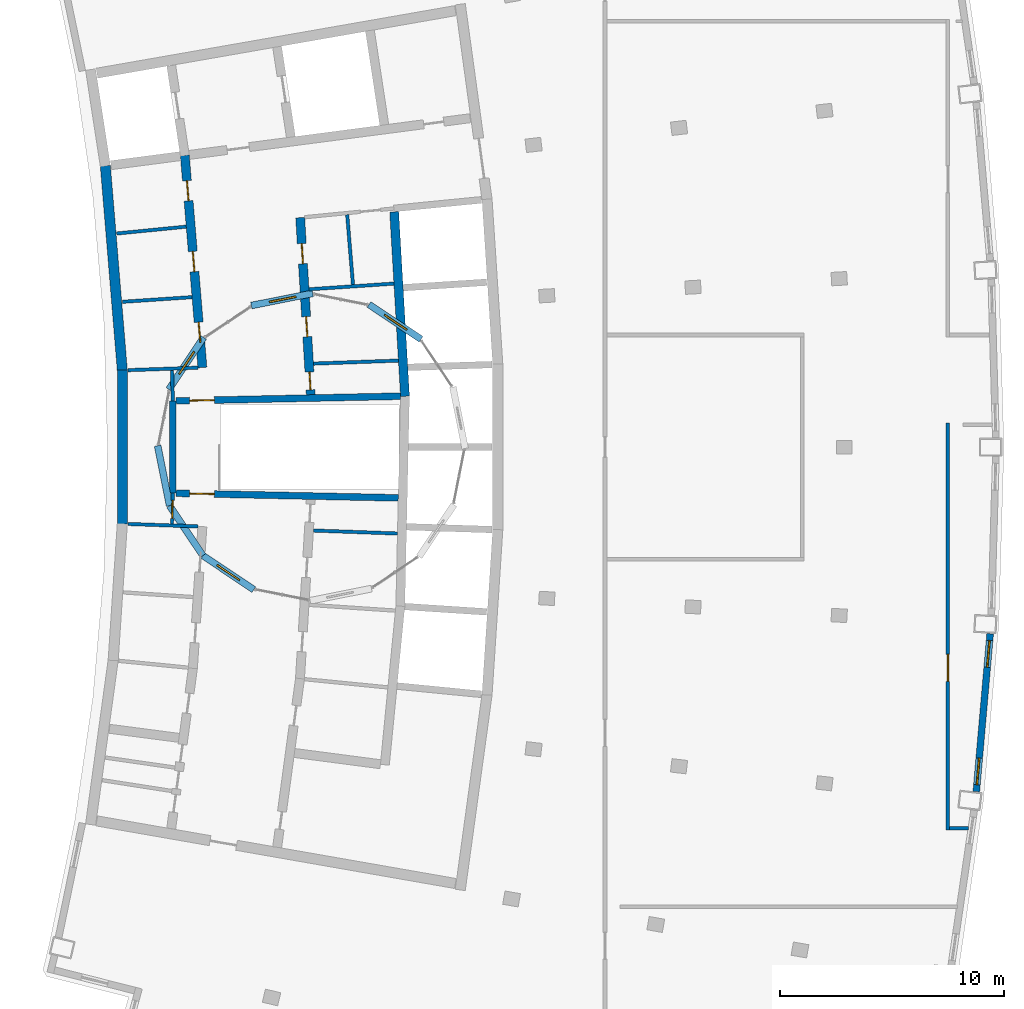
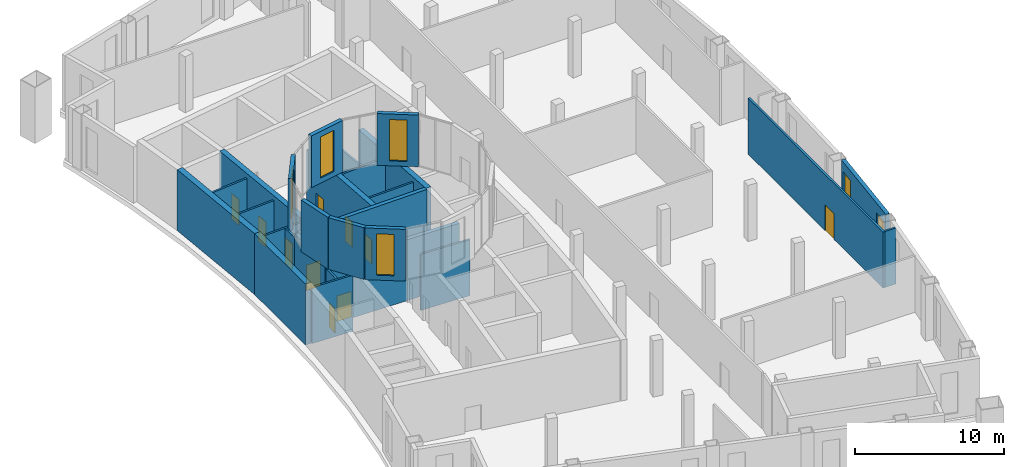
# One storey, part 5 of 9: 27 walls, 10 doors, 6 windows, 16 openings.
"""IFC4 building model written with IfcOpenShell, lengths in metres."""

from ifc_helpers import new_model, si_unit, direction, frame, frame_2d, origin, place, context, subcontext, project, spatial, rectangle, extrude, material, layer, layer_set, type_object, element, fill, save


model = new_model("IFC4")

# Units and contexts
model_context = context("Model", 3, precision=1e-05, world=origin(), true_north=direction((0.0, 1.0)))
body_context = subcontext(model_context, "Body", "Model", "MODEL_VIEW")
ifc_project = project(units=[si_unit("LENGTHUNIT", "METRE"), si_unit("AREAUNIT", "SQUARE_METRE"), si_unit("VOLUMEUNIT", "CUBIC_METRE"), si_unit("PLANEANGLEUNIT", "RADIAN"), si_unit("MASSUNIT", "GRAM", prefix="KILO")], contexts=[model_context])

# Site, building, storey
site_placement = place(None, origin())
site = spatial("IfcSite", under=ifc_project, at=site_placement, CompositionType="ELEMENT")
building_placement = place(site_placement, origin())
building = spatial("IfcBuilding", under=site, at=building_placement, Name="Alderwake Tower", CompositionType="ELEMENT")
storey_placement = place(building_placement, frame((0.0, 0.0, 310.0)))
storey = spatial("IfcBuildingStorey", under=building, at=storey_placement, Name="L75", CompositionType="ELEMENT", Elevation=310.0)

# Walls
ifc_material_1 = material(Name="Gypsum shaft wall system, rated")
ifc_layer_1 = layer(ifc_material_1, 0.14990234375)
ifc_layer_set_1 = layer_set([ifc_layer_1], Name="Core riser partition 150")
wall_type_1 = type_object("IfcWallType", Name="Core riser partition 150", PredefinedType="PARTITIONING", material=ifc_layer_set_1)
wall_1_placement = place(storey_placement, frame((25.1904296875, 57.276611328125, 0.0), z_axis=(0.0, 0.0, 1.0), x_axis=(0.99937350076, -0.035392173974, 0.0)))
element("IfcWall", 1, at=wall_1_placement, inside=storey, type_object=wall_type_1, Name="CW/L75/PR-37_+86", PredefinedType="PARTITIONING", context=body_context, shape_type="SweptSolid", body=[
    extrude(rectangle(XDim=3.752685546875, YDim=0.14990234375, at=frame_2d((1.87646484375, 0.0))), origin(), (0.0, 0.0, 1.0), 4.60009765625),
])
wall_2_placement = place(storey_placement, frame((25.191162109375, 64.723388671875, 0.0), z_axis=(0.0, 0.0, 1.0), x_axis=(0.999373627871, 0.035388584556, 0.0)))
element("IfcWall", 2, at=wall_2_placement, inside=storey, type_object=wall_type_1, Name="CW/L75/PR+37_+86", PredefinedType="PARTITIONING", context=body_context, shape_type="SweptSolid", body=[
    extrude(rectangle(XDim=3.79443359375, YDim=0.14990234375, at=frame_2d((1.897216796875, 0.0))), origin(), (0.0, 0.0, 1.0), 4.60009765625),
])

# Wall, opening, door
ifc_material_2 = material(Name="Gypsum shaft wall system, rated")
ifc_layer_2 = layer(ifc_material_2, 0.14990234375)
ifc_layer_set_2 = layer_set([ifc_layer_2], Name="Core room partition 150")
wall_type_2 = type_object("IfcWallType", Name="Core room partition 150", PredefinedType="PARTITIONING", material=ifc_layer_set_2)
wall_3_placement = place(storey_placement, frame((18.918701171875, 58.94384765625, 0.0), z_axis=(0.0, 0.0, 1.0), x_axis=(-0.027811602725, -0.999613182563, 0.0)))
wall_3 = element("IfcWall", 3, at=wall_3_placement, inside=storey, type_object=wall_type_2, Name="CW/L75/PA+24_-37", PredefinedType="PARTITIONING", context=body_context, shape_type="SweptSolid", body=[
    extrude(rectangle(XDim=1.369384765625, YDim=0.14990234375, at=frame_2d((0.6845703125, 0.0))), origin(), (0.0, 0.0, 1.0), 4.60009765625),
])
opening_1_placement = place(wall_3_placement, frame((0.322998046875, 0.0, 0.0)))
opening_1 = element("IfcOpeningElement", 4, at=opening_1_placement, cuts=wall_3, Name="Opening C004", PredefinedType="OPENING", context=body_context, shape_type="SweptSolid", body=[
    extrude(rectangle(XDim=0.800048828125, YDim=2.0, at=frame_2d((0.39990234375, 1.0))), frame((0.0, 0.0849609375, 0.0), z_axis=(0.0, -1.0, 0.0), x_axis=(1.0, 0.0, 0.0)), (0.0, 0.0, 1.0), 0.169921875),
])
ifc_material_3 = material(Name="Painted steel leaf, rated", Category="steel")
door_type_1 = type_object("IfcDoorType", Name="Riser access door 800", OperationType="SINGLE_SWING_LEFT", PredefinedType="DOOR", material=ifc_material_3)
door_1_placement = place(opening_1_placement, origin())
door_1 = element("IfcDoor", 5, at=door_1_placement, inside=storey, type_object=door_type_1, Name="Riser access door", OperationType="SINGLE_SWING_RIGHT", OverallHeight=2.0, OverallWidth=0.800048828125, PredefinedType="DOOR", context=body_context, shape_type="SweptSolid", body=[
    extrude(rectangle(XDim=0.800048828125, YDim=2.0, at=frame_2d((0.39990234375, 1.0))), frame((0.0, 0.02490234375, 0.0), z_axis=(0.0, -1.0, 0.0), x_axis=(1.0, 0.0, 0.0)), (0.0, 0.0, 1.0), 0.050048828125),
])
fill(opening_1, door_1)

# Walls
wall_4_placement = place(storey_placement, frame((18.918701171875, 63.05517578125, 0.0), z_axis=(0.0, 0.0, 1.0), x_axis=(-0.027791791559, 0.99961373356, 0.0)))
element("IfcWall", 6, at=wall_4_placement, inside=storey, type_object=wall_type_2, Name="CW/L75/PA+24_+22", PredefinedType="PARTITIONING", context=body_context, shape_type="SweptSolid", body=[
    extrude(rectangle(XDim=1.370361328125, YDim=0.14990234375, at=frame_2d((0.68505859375, 0.0))), origin(), (0.0, 0.0, 1.0), 4.60009765625),
])
wall_5_placement = place(storey_placement, frame((26.954833984375, 68.245361328125, 0.0), z_axis=(0.0, 0.0, 1.0), x_axis=(-0.082122484008, 0.996622244193, 0.0)))
element("IfcWall", 7, at=wall_5_placement, inside=storey, type_object=wall_type_2, Name="CW/L75/PA+107_+70", PredefinedType="PARTITIONING", context=body_context, shape_type="SweptSolid", body=[
    extrude(rectangle(XDim=3.13037109375, YDim=0.14990234375, at=frame_2d((1.565185546875, 0.0))), origin(), (0.0, 0.0, 1.0), 4.60009765625),
])
for number, where, z_axis, x_axis, name in (
    (8, (16.91943359375, 57.5693359375, 0.0), (0.0, 0.0, 1.0), (0.99937416876, -0.035373306522, 0.0), "CW/L75/PR-37_+0"),
    (9, (16.91943359375, 64.4306640625, 0.0), (0.0, 0.0, 1.0), (0.99937416876, 0.035373306522, 0.0), "CW/L75/PR+37_+0"),
):
    element("IfcWall", number, at=place(storey_placement, frame(where, z_axis=z_axis, x_axis=x_axis)), inside=storey, type_object=wall_type_2, Name=name, PredefinedType="PARTITIONING", context=body_context, shape_type="SweptSolid", body=[
        extrude(rectangle(XDim=3.11962890625, YDim=0.14990234375, at=frame_2d((1.559814453125, 0.0))), origin(), (0.0, 0.0, 1.0), 4.60009765625),
    ])
wall_6_placement = place(storey_placement, frame((16.666748046875, 67.48046875, 0.0), z_axis=(0.0, 0.0, 1.0), x_axis=(0.997759431971, 0.066903781007, 0.0)))
element("IfcWall", 10, at=wall_6_placement, inside=storey, type_object=wall_type_2, Name="CW/L75/PR+70_+0", PredefinedType="PARTITIONING", context=body_context, shape_type="SweptSolid", body=[
    extrude(rectangle(XDim=3.116455078125, YDim=0.14990234375, at=frame_2d((1.55810546875, 0.0))), origin(), (0.0, 0.0, 1.0), 4.60009765625),
])
wall_7_placement = place(storey_placement, frame((24.992431640625, 68.038818359375, 0.0), z_axis=(0.0, 0.0, 1.0), x_axis=(0.997762917035, 0.066851786736, 0.0)))
element("IfcWall", 11, at=wall_7_placement, inside=storey, type_object=wall_type_2, Name="CW/L75/PR+70_+86", PredefinedType="PARTITIONING", context=body_context, shape_type="SweptSolid", body=[
    extrude(rectangle(XDim=3.798095703125, YDim=0.14990234375, at=frame_2d((1.89892578125, 0.0))), origin(), (0.0, 0.0, 1.0), 4.60009765625),
])
wall_8_placement = place(storey_placement, frame((16.4140625, 70.52734375, 0.0), z_axis=(0.0, 0.0, 1.0), x_axis=(0.995155156245, 0.098316911052, 0.0)))
element("IfcWall", 12, at=wall_8_placement, inside=storey, type_object=wall_type_2, Name="CW/L75/PR+103_+0", PredefinedType="PARTITIONING", context=body_context, shape_type="SweptSolid", body=[
    extrude(rectangle(XDim=3.116455078125, YDim=0.14990234375, at=frame_2d((1.55810546875, 0.0))), origin(), (0.0, 0.0, 1.0), 4.60009765625),
])
ifc_material_4 = material(Name="Concrete C70/85", Category="concrete")
ifc_layer_3 = layer(ifc_material_4, 0.449951171875)
ifc_layer_set_3 = layer_set([ifc_layer_3], Name="Core wall outer 450 C70-85")
wall_type_3 = type_object("IfcWallType", Name="Core wall outer 450 C70-85", PredefinedType="SHEAR", material=ifc_layer_set_3)
wall_9_placement = place(storey_placement, frame((16.66455078125, 57.5703125, 0.0), z_axis=(0.0, 0.0, 1.0), x_axis=(0.0, 1.0, 0.0)))
element("IfcWall", 13, at=wall_9_placement, inside=storey, type_object=wall_type_3, Name="Core wall CW.029", PredefinedType="SHEAR", context=body_context, shape_type="SweptSolid", body=[
    extrude(rectangle(XDim=6.861083984375, YDim=0.449951171875, at=frame_2d((3.4306640625, 0.0))), origin(), (0.0, 0.0, 1.0), 5.0),
])
wall_10_placement = place(storey_placement, frame((16.665283203125, 64.411865234375, 0.0), z_axis=(0.0, 0.0, 1.0), x_axis=(-0.082622520262, 0.9965809145, 0.0)))
element("IfcWall", 14, at=wall_10_placement, inside=storey, type_object=wall_type_3, Name="Core wall CW.026", PredefinedType="SHEAR", context=body_context, shape_type="SweptSolid", body=[
    extrude(rectangle(XDim=9.171875, YDim=0.449951171875, at=frame_2d((4.5859375, 0.0))), origin(), (0.0, 0.0, 1.0), 5.0),
])

# Wall, openings, doors
ifc_material_5 = material(Name="Concrete C70/85", Category="concrete")
ifc_layer_4 = layer(ifc_material_5, 0.39990234375)
ifc_layer_set_4 = layer_set([ifc_layer_4], Name="Core wall spine 400 C70-85")
wall_type_4 = type_object("IfcWallType", Name="Core wall spine 400 C70-85", PredefinedType="SHEAR", material=ifc_layer_set_4)
wall_11_placement = place(storey_placement, frame((19.452392578125, 74.014892578125, 0.0), z_axis=(0.0, 0.0, 1.0), x_axis=(0.082628585297, -0.996580411654, 0.0)))
wall_11 = element("IfcWall", 15, at=wall_11_placement, inside=storey, type_object=wall_type_4, Name="Core wall CW.031", PredefinedType="SHEAR", context=body_context, shape_type="SweptSolid", body=[
    extrude(rectangle(XDim=9.499267578125, YDim=0.39990234375, at=frame_2d((4.74951171875, 0.0))), origin(), (0.0, 0.0, 1.0), 5.0),
])
opening_2_placement = place(wall_11_placement, frame((7.468017578125, 0.0, 0.0)))
opening_2 = element("IfcOpeningElement", 16, at=opening_2_placement, cuts=wall_11, Name="Opening C053", PredefinedType="OPENING", context=body_context, shape_type="SweptSolid", body=[
    extrude(rectangle(XDim=0.89990234375, YDim=2.10009765625, at=frame_2d((0.449951171875, 1.050048828125))), frame((0.0, 0.2099609375, 0.0), z_axis=(0.0, -1.0, 0.0), x_axis=(1.0, 0.0, 0.0)), (0.0, 0.0, 1.0), 0.419921875),
])
opening_3_placement = place(wall_11_placement, frame((4.30322265625, 0.0, 0.0)))
opening_3 = element("IfcOpeningElement", 17, at=opening_3_placement, cuts=wall_11, Name="Opening C055", PredefinedType="OPENING", context=body_context, shape_type="SweptSolid", body=[
    extrude(rectangle(XDim=0.89990234375, YDim=2.10009765625, at=frame_2d((0.449951171875, 1.050048828125))), frame((0.0, 0.2099609375, 0.0), z_axis=(0.0, -1.0, 0.0), x_axis=(1.0, 0.0, 0.0)), (0.0, 0.0, 1.0), 0.419921875),
])
opening_4_placement = place(wall_11_placement, frame((1.138671875, 0.0, 0.0)))
opening_4 = element("IfcOpeningElement", 18, at=opening_4_placement, cuts=wall_11, Name="Opening C056", PredefinedType="OPENING", context=body_context, shape_type="SweptSolid", body=[
    extrude(rectangle(XDim=0.89990234375, YDim=2.10009765625, at=frame_2d((0.449951171875, 1.050048828125))), frame((0.0, 0.2099609375, 0.0), z_axis=(0.0, -1.0, 0.0), x_axis=(1.0, 0.0, 0.0)), (0.0, 0.0, 1.0), 0.419921875),
])
ifc_material_6 = material(Name="Painted steel leaf", Category="steel")
door_type_2 = type_object("IfcDoorType", Name="Core room door 900", OperationType="SINGLE_SWING_LEFT", PredefinedType="DOOR", material=ifc_material_6)
door_2_placement = place(opening_2_placement, origin())
door_2 = element("IfcDoor", 19, at=door_2_placement, inside=storey, type_object=door_type_2, Name="Room door", OperationType="SINGLE_SWING_RIGHT", OverallHeight=2.10009765625, OverallWidth=0.89990234375, PredefinedType="DOOR", context=body_context, shape_type="SweptSolid", body=[
    extrude(rectangle(XDim=0.89990234375, YDim=2.10009765625, at=frame_2d((0.449951171875, 1.050048828125))), frame((0.0, 0.02490234375, 0.0), z_axis=(0.0, -1.0, 0.0), x_axis=(1.0, 0.0, 0.0)), (0.0, 0.0, 1.0), 0.050048828125),
])
fill(opening_2, door_2)
door_3_placement = place(opening_3_placement, origin())
door_3 = element("IfcDoor", 20, at=door_3_placement, inside=storey, type_object=door_type_2, Name="Room door", OperationType="SINGLE_SWING_LEFT", OverallHeight=2.10009765625, OverallWidth=0.89990234375, PredefinedType="DOOR", context=body_context, shape_type="SweptSolid", body=[
    extrude(rectangle(XDim=0.89990234375, YDim=2.10009765625, at=frame_2d((0.449951171875, 1.050048828125))), frame((0.0, 0.02490234375, 0.0), z_axis=(0.0, -1.0, 0.0), x_axis=(1.0, 0.0, 0.0)), (0.0, 0.0, 1.0), 0.050048828125),
])
fill(opening_3, door_3)
door_4_placement = place(opening_4_placement, origin())
door_4 = element("IfcDoor", 21, at=door_4_placement, inside=storey, type_object=door_type_2, Name="Room door", OperationType="SINGLE_SWING_RIGHT", OverallHeight=2.10009765625, OverallWidth=0.89990234375, PredefinedType="DOOR", context=body_context, shape_type="SweptSolid", body=[
    extrude(rectangle(XDim=0.89990234375, YDim=2.10009765625, at=frame_2d((0.449951171875, 1.050048828125))), frame((0.0, 0.02490234375, 0.0), z_axis=(0.0, -1.0, 0.0), x_axis=(1.0, 0.0, 0.0)), (0.0, 0.0, 1.0), 0.050048828125),
])
fill(opening_4, door_4)

wall_12_placement = place(storey_placement, frame((25.073974609375, 63.335693359375, 0.0), z_axis=(0.0, 0.0, 1.0), x_axis=(-0.059848641072, 0.998207463487, 0.0)))
wall_12 = element("IfcWall", 22, at=wall_12_placement, inside=storey, type_object=wall_type_4, Name="Core wall CW.045", PredefinedType="SHEAR", context=body_context, shape_type="SweptSolid", body=[
    extrude(rectangle(XDim=7.913818359375, YDim=0.39990234375, at=frame_2d((3.95703125, 0.0))), origin(), (0.0, 0.0, 1.0), 5.0),
])
opening_5_placement = place(wall_12_placement, frame((0.216064453125, 0.0, 0.0)))
opening_5 = element("IfcOpeningElement", 23, at=opening_5_placement, cuts=wall_12, Name="Opening C005", PredefinedType="OPENING", context=body_context, shape_type="SweptSolid", body=[
    extrude(rectangle(XDim=0.800048828125, YDim=2.0, at=frame_2d((0.39990234375, 1.0))), frame((0.0, 0.2099609375, 0.0), z_axis=(0.0, -1.0, 0.0), x_axis=(1.0, 0.0, 0.0)), (0.0, 0.0, 1.0), 0.419921875),
])
opening_6_placement = place(wall_12_placement, frame((5.856201171875, 0.0, 0.0)))
opening_6 = element("IfcOpeningElement", 24, at=opening_6_placement, cuts=wall_12, Name="Opening C024", PredefinedType="OPENING", context=body_context, shape_type="SweptSolid", body=[
    extrude(rectangle(XDim=0.89990234375, YDim=2.10009765625, at=frame_2d((0.449951171875, 1.050048828125))), frame((0.0, 0.2099609375, 0.0), z_axis=(0.0, -1.0, 0.0), x_axis=(1.0, 0.0, 0.0)), (0.0, 0.0, 1.0), 0.419921875),
])
opening_7_placement = place(wall_12_placement, frame((2.590087890625, 0.0, 0.0)))
opening_7 = element("IfcOpeningElement", 25, at=opening_7_placement, cuts=wall_12, Name="Opening C059", PredefinedType="OPENING", context=body_context, shape_type="SweptSolid", body=[
    extrude(rectangle(XDim=0.89990234375, YDim=2.10009765625, at=frame_2d((0.449951171875, 1.050048828125))), frame((0.0, 0.2099609375, 0.0), z_axis=(0.0, -1.0, 0.0), x_axis=(1.0, 0.0, 0.0)), (0.0, 0.0, 1.0), 0.419921875),
])
door_5_placement = place(opening_6_placement, origin())
door_5 = element("IfcDoor", 26, at=door_5_placement, inside=storey, type_object=door_type_2, Name="Room door", OperationType="SINGLE_SWING_LEFT", OverallHeight=2.10009765625, OverallWidth=0.89990234375, PredefinedType="DOOR", context=body_context, shape_type="SweptSolid", body=[
    extrude(rectangle(XDim=0.89990234375, YDim=2.10009765625, at=frame_2d((0.449951171875, 1.050048828125))), frame((0.0, 0.02490234375, 0.0), z_axis=(0.0, -1.0, 0.0), x_axis=(1.0, 0.0, 0.0)), (0.0, 0.0, 1.0), 0.050048828125),
])
fill(opening_6, door_5)
door_6_placement = place(opening_7_placement, origin())
door_6 = element("IfcDoor", 27, at=door_6_placement, inside=storey, type_object=door_type_2, Name="Room door", OperationType="SINGLE_SWING_LEFT", OverallHeight=2.10009765625, OverallWidth=0.89990234375, PredefinedType="DOOR", context=body_context, shape_type="SweptSolid", body=[
    extrude(rectangle(XDim=0.89990234375, YDim=2.10009765625, at=frame_2d((0.449951171875, 1.050048828125))), frame((0.0, 0.02490234375, 0.0), z_axis=(0.0, -1.0, 0.0), x_axis=(1.0, 0.0, 0.0)), (0.0, 0.0, 1.0), 0.050048828125),
])
fill(opening_7, door_6)
door_7_placement = place(opening_5_placement, origin())
door_7 = element("IfcDoor", 28, at=door_7_placement, inside=storey, type_object=door_type_1, Name="Riser access door", OperationType="SINGLE_SWING_LEFT", OverallHeight=2.0, OverallWidth=0.800048828125, PredefinedType="DOOR", context=body_context, shape_type="SweptSolid", body=[
    extrude(rectangle(XDim=0.800048828125, YDim=2.0, at=frame_2d((0.39990234375, 1.0))), frame((0.0, 0.02490234375, 0.0), z_axis=(0.0, -1.0, 0.0), x_axis=(1.0, 0.0, 0.0)), (0.0, 0.0, 1.0), 0.050048828125),
])
fill(opening_5, door_7)

# Walls
wall_13_placement = place(storey_placement, frame((29.27685546875, 63.2646484375, 0.0), z_axis=(0.0, 0.0, 1.0), x_axis=(-0.0584546922, 0.998290062537, 0.0)))
element("IfcWall", 29, at=wall_13_placement, inside=storey, type_object=wall_type_4, Name="Core wall CW.002", PredefinedType="SHEAR", context=body_context, shape_type="SweptSolid", body=[
    extrude(rectangle(XDim=8.24462890625, YDim=0.39990234375, at=frame_2d((4.122314453125, 0.0))), origin(), (0.0, 0.0, 1.0), 5.0),
])
ifc_material_7 = material(Name="Concrete C70/85", Category="concrete")
ifc_layer_5 = layer(ifc_material_7, 0.300048828125)
ifc_layer_set_5 = layer_set([ifc_layer_5], Name="Core wall stair enclosure 300 C70-85")
wall_type_5 = type_object("IfcWallType", Name="Core wall stair enclosure 300 C70-85", PredefinedType="SHEAR", material=ifc_layer_set_5)
wall_14_placement = place(storey_placement, frame((18.918701171875, 58.940673828125, 0.0), z_axis=(0.0, 0.0, 1.0), x_axis=(0.0, 1.0, 0.0)))
element("IfcWall", 30, at=wall_14_placement, inside=storey, type_object=wall_type_5, Name="Core wall CW.024", PredefinedType="SHEAR", context=body_context, shape_type="SweptSolid", body=[
    extrude(rectangle(XDim=4.11962890625, YDim=0.300048828125, at=frame_2d((2.059814453125, 0.0))), origin(), (0.0, 0.0, 1.0), 5.0),
])

# Wall, opening, door
wall_15_placement = place(storey_placement, frame((28.975830078125, 58.733154296875, 0.0), z_axis=(0.0, 0.0, 1.0), x_axis=(-0.999783782948, 0.020793925895, 0.0)))
wall_15 = element("IfcWall", 31, at=wall_15_placement, inside=storey, type_object=wall_type_5, Name="Core wall CW.074", PredefinedType="SHEAR", context=body_context, shape_type="SweptSolid", body=[
    extrude(rectangle(XDim=9.909423828125, YDim=0.300048828125, at=frame_2d((4.95458984375, 0.0))), origin(), (0.0, 0.0, 1.0), 5.0),
])
opening_8_placement = place(wall_15_placement, frame((8.20947265625, 0.0, 0.0)))
opening_8 = element("IfcOpeningElement", 32, at=opening_8_placement, cuts=wall_15, Name="Opening C063", PredefinedType="OPENING", context=body_context, shape_type="SweptSolid", body=[
    extrude(rectangle(XDim=1.10009765625, YDim=2.10009765625, at=frame_2d((0.550048828125, 1.050048828125))), frame((0.0, 0.159912109375, 0.0), z_axis=(0.0, -1.0, 0.0), x_axis=(1.0, 0.0, 0.0)), (0.0, 0.0, 1.0), 0.320068359375),
])
ifc_material_8 = material(Name="Steel-framed fire door leaf", Category="steel")
door_type_3 = type_object("IfcDoorType", Name="Core stair door 1100 fire-rated", OperationType="SINGLE_SWING_LEFT", PredefinedType="DOOR", material=ifc_material_8)
door_8_placement = place(opening_8_placement, origin())
door_8 = element("IfcDoor", 33, at=door_8_placement, inside=storey, type_object=door_type_3, Name="Stair door", OperationType="SINGLE_SWING_LEFT", OverallHeight=2.10009765625, OverallWidth=1.10009765625, PredefinedType="DOOR", context=body_context, shape_type="SweptSolid", body=[
    extrude(rectangle(XDim=1.10009765625, YDim=2.10009765625, at=frame_2d((0.550048828125, 1.050048828125))), frame((0.0, 0.02490234375, 0.0), z_axis=(0.0, -1.0, 0.0), x_axis=(1.0, 0.0, 0.0)), (0.0, 0.0, 1.0), 0.050048828125),
])
fill(opening_8, door_8)

wall_16_placement = place(storey_placement, frame((19.068603515625, 63.060791015625, 0.0), z_axis=(0.0, 0.0, 1.0), x_axis=(0.999783553773, 0.02080494185, 0.0)))
wall_16 = element("IfcWall", 34, at=wall_16_placement, inside=storey, type_object=wall_type_5, Name="Core wall CW.057", PredefinedType="SHEAR", context=body_context, shape_type="SweptSolid", body=[
    extrude(rectangle(XDim=10.009765625, YDim=0.300048828125, at=frame_2d((5.0048828125, 0.0))), origin(), (0.0, 0.0, 1.0), 5.0),
])
opening_9_placement = place(wall_16_placement, frame((0.60009765625, 0.0, 0.0)))
opening_9 = element("IfcOpeningElement", 35, at=opening_9_placement, cuts=wall_16, Name="Opening C064", PredefinedType="OPENING", context=body_context, shape_type="SweptSolid", body=[
    extrude(rectangle(XDim=1.10009765625, YDim=2.10009765625, at=frame_2d((0.550048828125, 1.050048828125))), frame((0.0, 0.159912109375, 0.0), z_axis=(0.0, -1.0, 0.0), x_axis=(1.0, 0.0, 0.0)), (0.0, 0.0, 1.0), 0.320068359375),
])
door_9_placement = place(opening_9_placement, origin())
door_9 = element("IfcDoor", 36, at=door_9_placement, inside=storey, type_object=door_type_3, Name="Stair door", OperationType="SINGLE_SWING_RIGHT", OverallHeight=2.10009765625, OverallWidth=1.10009765625, PredefinedType="DOOR", context=body_context, shape_type="SweptSolid", body=[
    extrude(rectangle(XDim=1.10009765625, YDim=2.10009765625, at=frame_2d((0.550048828125, 1.050048828125))), frame((0.0, 0.02490234375, 0.0), z_axis=(0.0, -1.0, 0.0), x_axis=(1.0, 0.0, 0.0)), (0.0, 0.0, 1.0), 0.050048828125),
])
fill(opening_9, door_9)

ifc_material_9 = material(Name="Gypsum board on metal studs, rated")
ifc_layer_6 = layer(ifc_material_9, 0.159912109375)
ifc_layer_set_6 = layer_set([ifc_layer_6], Name="Corridor wall 160")
wall_type_6 = type_object("IfcWallType", Name="Corridor wall 160", PredefinedType="PARTITIONING", material=ifc_layer_set_6)
wall_17_placement = place(storey_placement, frame((53.4990234375, 43.9208984375, 0.0), z_axis=(0.0, 0.0, 1.0), x_axis=(0.0, 1.0, 0.0)))
wall_17 = element("IfcWall", 37, at=wall_17_placement, inside=storey, type_object=wall_type_6, Name="WL/L75/W15", PredefinedType="PARTITIONING", context=body_context, shape_type="SweptSolid", body=[
    extrude(rectangle(XDim=18.16015625, YDim=0.159912109375, at=frame_2d((9.080078125, 0.0))), origin(), (0.0, 0.0, 1.0), 4.60009765625),
])
opening_10_placement = place(wall_17_placement, frame((6.62890625, 0.0, 0.0)))
opening_10 = element("IfcOpeningElement", 38, at=opening_10_placement, cuts=wall_17, Name="Opening L75-05", PredefinedType="OPENING", context=body_context, shape_type="SweptSolid", body=[
    extrude(rectangle(XDim=1.199951171875, YDim=2.10009765625, at=frame_2d((0.60009765625, 1.050048828125))), frame((0.0, 0.08984375, 0.0), z_axis=(0.0, -1.0, 0.0), x_axis=(1.0, 0.0, 0.0)), (0.0, 0.0, 1.0), 0.179931640625),
])
ifc_material_10 = material(Name="Steel door leaf in steel frame", Category="steel")
door_type_4 = type_object("IfcDoorType", Name="Plant room door 1200 steel", OperationType="SINGLE_SWING_LEFT", PredefinedType="DOOR", material=ifc_material_10)
door_10_placement = place(opening_10_placement, origin())
door_10 = element("IfcDoor", 39, at=door_10_placement, inside=storey, type_object=door_type_4, Name="DR/L75/05", OperationType="SINGLE_SWING_LEFT", OverallHeight=2.10009765625, OverallWidth=1.199951171875, PredefinedType="DOOR", context=body_context, shape_type="SweptSolid", body=[
    extrude(rectangle(XDim=1.199951171875, YDim=2.10009765625, at=frame_2d((0.60009765625, 1.050048828125))), frame((0.0, 0.02490234375, 0.0), z_axis=(0.0, -1.0, 0.0), x_axis=(1.0, 0.0, 0.0)), (0.0, 0.0, 1.0), 0.050048828125),
])
fill(opening_10, door_10)

# Wall
wall_18_placement = place(storey_placement, frame((54.416015625, 44.0009765625, 0.0), z_axis=(0.0, 0.0, 1.0), x_axis=(-1.0, 0.0, 0.0)))
element("IfcWall", 40, at=wall_18_placement, inside=storey, type_object=wall_type_6, Name="WL/L75/W19", PredefinedType="PARTITIONING", context=body_context, shape_type="SweptSolid", body=[
    extrude(rectangle(XDim=0.8369140625, YDim=0.159912109375, at=frame_2d((0.41845703125, 0.0))), origin(), (0.0, 0.0, 1.0), 4.60009765625),
])

# Wall, openings, windows
ifc_material_11 = material(Name="Bronze metal cladding on lightweight framing")
ifc_layer_7 = layer(ifc_material_11, 0.300048828125)
ifc_layer_set_7 = layer_set([ifc_layer_7], Name="External wall EW3 plant enclosure")
wall_type_7 = type_object("IfcWallType", Name="External wall EW3 plant enclosure", PredefinedType="SOLIDWALL", material=ifc_layer_set_7)
wall_19_placement = place(storey_placement, frame((54.7646484375, 45.630126953125, 0.0), z_axis=(0.0, 0.0, 1.0), x_axis=(0.087386754423, 0.996174460198, 0.0)))
wall_19 = element("IfcWall", 41, at=wall_19_placement, inside=storey, type_object=wall_type_7, Name="External wall 27", PredefinedType="SOLIDWALL", context=body_context, shape_type="SweptSolid", body=[
    extrude(rectangle(XDim=7.068359375, YDim=0.300048828125, at=frame_2d((3.5341796875, 0.0))), origin(), (0.0, 0.0, 1.0), 4.60009765625),
])
opening_11_placement = place(wall_19_placement, frame((0.3017578125, 0.0, 0.39990234375)))
opening_11 = element("IfcOpeningElement", 42, at=opening_11_placement, cuts=wall_19, Name="Opening LV2", PredefinedType="OPENING", context=body_context, shape_type="SweptSolid", body=[
    extrude(rectangle(XDim=1.199951171875, YDim=3.39990234375, at=frame_2d((0.60009765625, 1.699951171875))), frame((0.0, 0.159912109375, 0.0), z_axis=(0.0, -1.0, 0.0), x_axis=(1.0, 0.0, 0.0)), (0.0, 0.0, 1.0), 0.320068359375),
])
opening_12_placement = place(wall_19_placement, frame((5.566650390625, 0.0, 0.39990234375)))
opening_12 = element("IfcOpeningElement", 43, at=opening_12_placement, cuts=wall_19, Name="Opening LV2", PredefinedType="OPENING", context=body_context, shape_type="SweptSolid", body=[
    extrude(rectangle(XDim=1.199951171875, YDim=3.39990234375, at=frame_2d((0.60009765625, 1.699951171875))), frame((0.0, 0.159912109375, 0.0), z_axis=(0.0, -1.0, 0.0), x_axis=(1.0, 0.0, 0.0)), (0.0, 0.0, 1.0), 0.320068359375),
])
ifc_material_12 = material(Name="Bronze anodised aluminium louvre", Category="aluminium")
window_type = type_object("IfcWindowType", Name="Louvre LV2 crown drum", PartitioningType="SINGLE_PANEL", PredefinedType="USERDEFINED", material=ifc_material_12)
window_1_placement = place(opening_11_placement, origin())
window_1 = element("IfcWindow", 44, at=window_1_placement, inside=storey, type_object=window_type, Name="Louvre LV2 crown drum", ObjectType="LOUVRE", OverallHeight=3.39990234375, OverallWidth=1.199951171875, PartitioningType="SINGLE_PANEL", PredefinedType="USERDEFINED", context=body_context, shape_type="SweptSolid", body=[
    extrude(rectangle(XDim=1.199951171875, YDim=3.39990234375, at=frame_2d((0.60009765625, 1.699951171875))), frame((0.0, 0.030029296875, 0.0), z_axis=(0.0, -1.0, 0.0), x_axis=(1.0, 0.0, 0.0)), (0.0, 0.0, 1.0), 0.06005859375),
])
fill(opening_11, window_1)
window_2_placement = place(opening_12_placement, origin())
window_2 = element("IfcWindow", 45, at=window_2_placement, inside=storey, type_object=window_type, Name="Louvre LV2 crown drum", ObjectType="LOUVRE", OverallHeight=3.39990234375, OverallWidth=1.199951171875, PartitioningType="SINGLE_PANEL", PredefinedType="USERDEFINED", context=body_context, shape_type="SweptSolid", body=[
    extrude(rectangle(XDim=1.199951171875, YDim=3.39990234375, at=frame_2d((0.60009765625, 1.699951171875))), frame((0.0, 0.030029296875, 0.0), z_axis=(0.0, -1.0, 0.0), x_axis=(1.0, 0.0, 0.0)), (0.0, 0.0, 1.0), 0.06005859375),
])
fill(opening_12, window_2)

# Wall, opening, window
wall_20_placement = place(storey_placement, frame((29.9912109375, 65.80859375, 5.0), z_axis=(0.0, 0.0, 1.0), x_axis=(-0.831511554854, 0.555507456425, 0.0)))
wall_20 = element("IfcWall", 46, at=wall_20_placement, inside=storey, type_object=wall_type_7, Name="External wall 66", PredefinedType="SOLIDWALL", context=body_context, shape_type="SweptSolid", body=[
    extrude(rectangle(XDim=2.790771484375, YDim=0.300048828125, at=frame_2d((1.3955078125, 0.0))), origin(), (0.0, 0.0, 1.0), 4.25),
])
opening_13_placement = place(wall_20_placement, frame((0.765625, 0.0, 0.39990234375)))
opening_13 = element("IfcOpeningElement", 47, at=opening_13_placement, cuts=wall_20, Name="Opening LV2", PredefinedType="OPENING", context=body_context, shape_type="SweptSolid", body=[
    extrude(rectangle(XDim=1.199951171875, YDim=3.39990234375, at=frame_2d((0.60009765625, 1.699951171875))), frame((0.0, 0.159912109375, 0.0), z_axis=(0.0, -1.0, 0.0), x_axis=(1.0, 0.0, 0.0)), (0.0, 0.0, 1.0), 0.320068359375),
])
window_3_placement = place(opening_13_placement, origin())
window_3 = element("IfcWindow", 48, at=window_3_placement, inside=storey, type_object=window_type, Name="Louvre LV2 crown drum", ObjectType="LOUVRE", OverallHeight=3.39990234375, OverallWidth=1.199951171875, PartitioningType="SINGLE_PANEL", PredefinedType="USERDEFINED", context=body_context, shape_type="SweptSolid", body=[
    extrude(rectangle(XDim=1.199951171875, YDim=3.39990234375, at=frame_2d((0.60009765625, 1.699951171875))), frame((0.0, 0.030029296875, 0.0), z_axis=(0.0, -1.0, 0.0), x_axis=(1.0, 0.0, 0.0)), (0.0, 0.0, 1.0), 0.06005859375),
])
fill(opening_13, window_3)

wall_21_placement = place(storey_placement, frame((25.158447265625, 67.858642578125, 5.0), z_axis=(0.0, 0.0, 1.0), x_axis=(-0.980788719279, -0.195073032821, 0.0)))
wall_21 = element("IfcWall", 49, at=wall_21_placement, inside=storey, type_object=wall_type_7, Name="External wall 67", PredefinedType="SOLIDWALL", context=body_context, shape_type="SweptSolid", body=[
    extrude(rectangle(XDim=2.791015625, YDim=0.300048828125, at=frame_2d((1.3955078125, 0.0))), origin(), (0.0, 0.0, 1.0), 4.25),
])
opening_14_placement = place(wall_21_placement, frame((0.765625, 0.0, 0.39990234375)))
opening_14 = element("IfcOpeningElement", 50, at=opening_14_placement, cuts=wall_21, Name="Opening LV2", PredefinedType="OPENING", context=body_context, shape_type="SweptSolid", body=[
    extrude(rectangle(XDim=1.199951171875, YDim=3.39990234375, at=frame_2d((0.60009765625, 1.699951171875))), frame((0.0, 0.159912109375, 0.0), z_axis=(0.0, -1.0, 0.0), x_axis=(1.0, 0.0, 0.0)), (0.0, 0.0, 1.0), 0.320068359375),
])
window_4_placement = place(opening_14_placement, origin())
window_4 = element("IfcWindow", 51, at=window_4_placement, inside=storey, type_object=window_type, Name="Louvre LV2 crown drum", ObjectType="LOUVRE", OverallHeight=3.39990234375, OverallWidth=1.199951171875, PartitioningType="SINGLE_PANEL", PredefinedType="USERDEFINED", context=body_context, shape_type="SweptSolid", body=[
    extrude(rectangle(XDim=1.199951171875, YDim=3.39990234375, at=frame_2d((0.60009765625, 1.699951171875))), frame((0.0, 0.030029296875, 0.0), z_axis=(0.0, -1.0, 0.0), x_axis=(1.0, 0.0, 0.0)), (0.0, 0.0, 1.0), 0.06005859375),
])
fill(opening_14, window_4)

wall_22_placement = place(storey_placement, frame((20.29150390625, 65.89111328125, 5.0), z_axis=(0.0, 0.0, 1.0), x_axis=(-0.555567937721, -0.831471145967, 0.0)))
wall_22 = element("IfcWall", 52, at=wall_22_placement, inside=storey, type_object=wall_type_7, Name="External wall 68", PredefinedType="SOLIDWALL", context=body_context, shape_type="SweptSolid", body=[
    extrude(rectangle(XDim=2.791015625, YDim=0.300048828125, at=frame_2d((1.3955078125, 0.0))), origin(), (0.0, 0.0, 1.0), 4.25),
])
opening_15_placement = place(wall_22_placement, frame((0.765625, 0.0, 0.39990234375)))
opening_15 = element("IfcOpeningElement", 53, at=opening_15_placement, cuts=wall_22, Name="Opening LV2", PredefinedType="OPENING", context=body_context, shape_type="SweptSolid", body=[
    extrude(rectangle(XDim=1.199951171875, YDim=3.39990234375, at=frame_2d((0.60009765625, 1.699951171875))), frame((0.0, 0.159912109375, 0.0), z_axis=(0.0, -1.0, 0.0), x_axis=(1.0, 0.0, 0.0)), (0.0, 0.0, 1.0), 0.320068359375),
])
window_5_placement = place(opening_15_placement, origin())
window_5 = element("IfcWindow", 54, at=window_5_placement, inside=storey, type_object=window_type, Name="Louvre LV2 crown drum", ObjectType="LOUVRE", OverallHeight=3.39990234375, OverallWidth=1.199951171875, PartitioningType="SINGLE_PANEL", PredefinedType="USERDEFINED", context=body_context, shape_type="SweptSolid", body=[
    extrude(rectangle(XDim=1.199951171875, YDim=3.39990234375, at=frame_2d((0.60009765625, 1.699951171875))), frame((0.0, 0.030029296875, 0.0), z_axis=(0.0, -1.0, 0.0), x_axis=(1.0, 0.0, 0.0)), (0.0, 0.0, 1.0), 0.06005859375),
])
fill(opening_15, window_5)

# Walls
wall_23_placement = place(storey_placement, frame((18.2412109375, 61.05859375, 5.0), z_axis=(0.0, 0.0, 1.0), x_axis=(0.195119089982, -0.98077955766, 0.0)))
element("IfcWall", 55, at=wall_23_placement, inside=storey, type_object=wall_type_7, Name="External wall 69", PredefinedType="SOLIDWALL", context=body_context, shape_type="SweptSolid", body=[
    extrude(rectangle(XDim=2.7314453125, YDim=0.300048828125, at=frame_2d((1.36572265625, 0.0))), origin(), (0.0, 0.0, 1.0), 4.25),
])
wall_24_placement = place(storey_placement, frame((18.774169921875, 58.379638671875, 5.0), z_axis=(0.0, 0.0, 1.0), x_axis=(0.555564594129, -0.831473380061, 0.0)))
element("IfcWall", 56, at=wall_24_placement, inside=storey, type_object=wall_type_7, Name="External wall 70", PredefinedType="SOLIDWALL", context=body_context, shape_type="SweptSolid", body=[
    extrude(rectangle(XDim=2.67138671875, YDim=0.300048828125, at=frame_2d((1.335693359375, 0.0))), origin(), (0.0, 0.0, 1.0), 4.25),
])

# Wall, opening, window
wall_25_placement = place(storey_placement, frame((20.25830078125, 56.158447265625, 5.0), z_axis=(0.0, 0.0, 1.0), x_axis=(0.831486033278, -0.555545656507, 0.0)))
wall_25 = element("IfcWall", 57, at=wall_25_placement, inside=storey, type_object=wall_type_7, Name="External wall 71", PredefinedType="SOLIDWALL", context=body_context, shape_type="SweptSolid", body=[
    extrude(rectangle(XDim=2.731201171875, YDim=0.300048828125, at=frame_2d((1.36572265625, 0.0))), origin(), (0.0, 0.0, 1.0), 4.25),
])
opening_16_placement = place(wall_25_placement, frame((0.765625, 0.0, 0.39990234375)))
opening_16 = element("IfcOpeningElement", 58, at=opening_16_placement, cuts=wall_25, Name="Opening LV2", PredefinedType="OPENING", context=body_context, shape_type="SweptSolid", body=[
    extrude(rectangle(XDim=1.199951171875, YDim=3.39990234375, at=frame_2d((0.60009765625, 1.699951171875))), frame((0.0, 0.159912109375, 0.0), z_axis=(0.0, -1.0, 0.0), x_axis=(1.0, 0.0, 0.0)), (0.0, 0.0, 1.0), 0.320068359375),
])
window_6_placement = place(opening_16_placement, origin())
window_6 = element("IfcWindow", 59, at=window_6_placement, inside=storey, type_object=window_type, Name="Louvre LV2 crown drum", ObjectType="LOUVRE", OverallHeight=3.39990234375, OverallWidth=1.199951171875, PartitioningType="SINGLE_PANEL", PredefinedType="USERDEFINED", context=body_context, shape_type="SweptSolid", body=[
    extrude(rectangle(XDim=1.199951171875, YDim=3.39990234375, at=frame_2d((0.60009765625, 1.699951171875))), frame((0.0, 0.030029296875, 0.0), z_axis=(0.0, -1.0, 0.0), x_axis=(1.0, 0.0, 0.0)), (0.0, 0.0, 1.0), 0.06005859375),
])
fill(opening_16, window_6)

save(model, "model.ifc")
